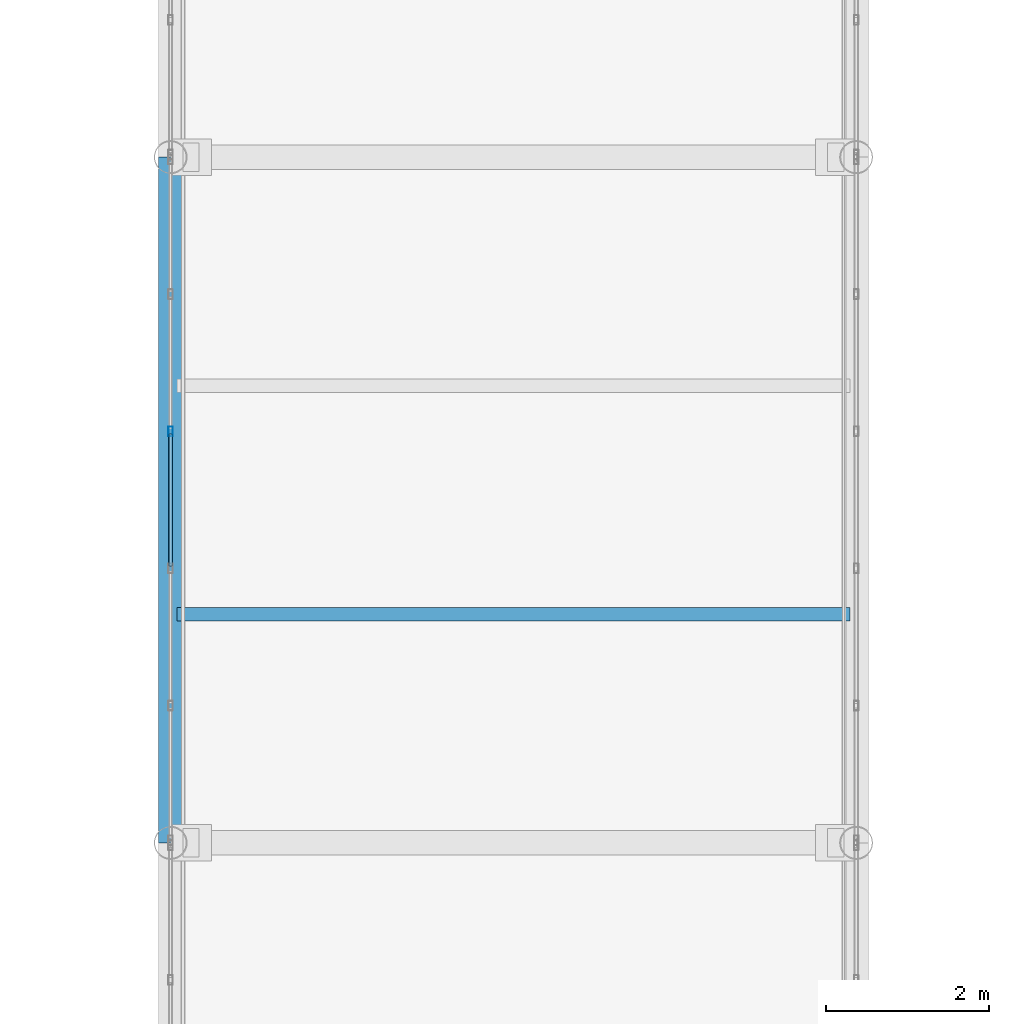
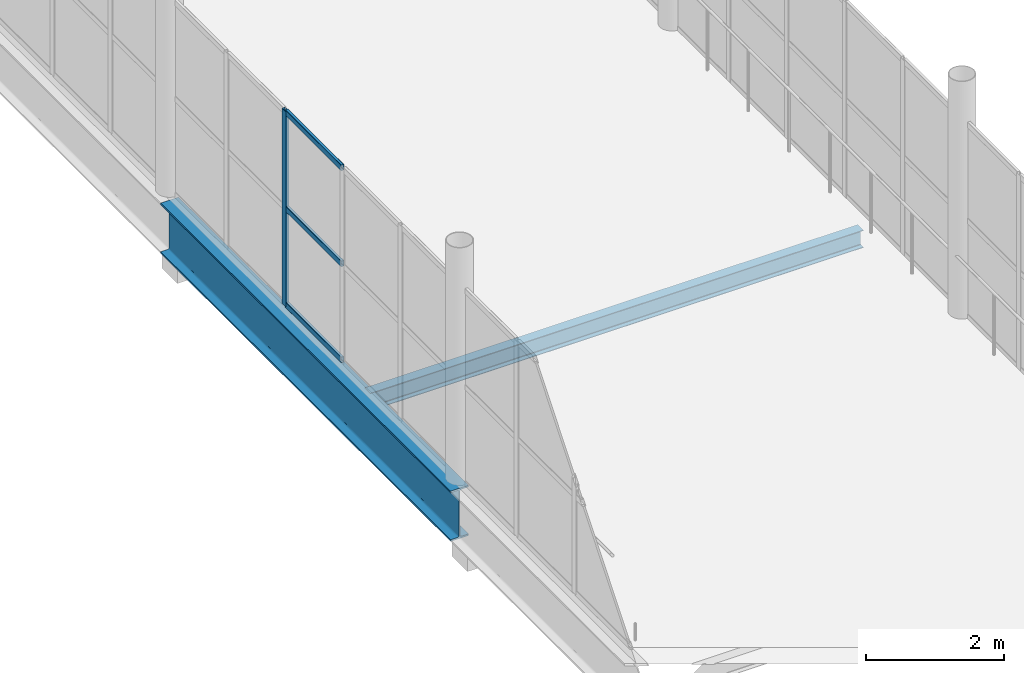
# One storey, part 52 of 163: 4 members, 2 beams, 1 element without a shape of its own.
"""IFC4 building model written with IfcOpenShell, lengths in metres."""

import ifcopenshell
import ifcopenshell.guid

model = None  # the IFC model being written
_history = None  # IfcOwnerHistory: only IFC2X3 demands one
_inside = {}  # id of a spatial element -> (the spatial element, [elements in it])
_under = {}  # id of a project, library or spatial element -> (it, [spatial elements below it])
_declared = {}  # id of a project -> (the project, [libraries it declares])
_typed = {}  # id of a type object -> (the type object, [elements of that type])
_made_of = {}  # id of a material, layer set ... -> (it, [elements and type objects made of it])


def new_model(schema):
    """Start an empty IFC model of exactly this schema.

    Asked for "IFC4X3", IfcOpenShell would pick the latest addendum, in which some entities
    have other attributes; the version numbers below select the first issue.
    IFC2X3 requires an IfcOwnerHistory on every rooted entity: one is made here for all.
    """
    global model, _history
    if schema == "IFC4X3":
        model = ifcopenshell.file(schema_version=(4, 3, 0, 0))
    else:
        model = ifcopenshell.file(schema=schema)
    _inside.clear()
    _under.clear()
    _declared.clear()
    _typed.clear()
    _made_of.clear()
    _history = None
    if model.schema == "IFC2X3":
        org = make("IfcOrganization", Name="unknown")
        user = make(
            "IfcPersonAndOrganization",
            ThePerson=make("IfcPerson", FamilyName="unknown"),
            TheOrganization=org,
        )
        app = make(
            "IfcApplication",
            ApplicationDeveloper=org,
            Version="unknown",
            ApplicationFullName="unknown",
            ApplicationIdentifier="unknown",
        )
        _history = make(
            "IfcOwnerHistory",
            OwningUser=user,
            OwningApplication=app,
            ChangeAction="ADDED",
            CreationDate=0,
        )
    return model


def make(cls, **values):
    """One entity of the class cls with the attributes given. An attribute that is None is left unset."""
    return model.create_entity(
        cls, **{name: value for name, value in values.items() if value is not None}
    )


def rooted(cls, **values):
    """An entity with a GlobalId (a new one), such as an element, a storey or a relation."""
    return make(cls, GlobalId=ifcopenshell.guid.new(), OwnerHistory=_history, **values)


def si_unit(unit_type, name, prefix=None):
    """IfcSIUnit, for example si_unit("LENGTHUNIT", "METRE", prefix="MILLI")."""
    return make("IfcSIUnit", UnitType=unit_type, Prefix=prefix, Name=name)


def assignment(units):
    """IfcUnitAssignment: the units of a project."""
    return None if units is None else make("IfcUnitAssignment", Units=units)


def point(xyz):
    """IfcCartesianPoint."""
    return None if xyz is None else make("IfcCartesianPoint", Coordinates=xyz)


def direction(xyz):
    """IfcDirection."""
    return None if xyz is None else make("IfcDirection", DirectionRatios=xyz)


def frame(location, z_axis=None, x_axis=None):
    """IfcAxis2Placement3D, a coordinate frame: its origin and axes. An axis left out is left unset."""
    return make(
        "IfcAxis2Placement3D",
        Location=point(location),
        Axis=direction(z_axis),
        RefDirection=direction(x_axis),
    )


def frame_2d(location, x_axis=None):
    """IfcAxis2Placement2D, a coordinate frame in the plane: its origin and x axis."""
    return make(
        "IfcAxis2Placement2D", Location=point(location), RefDirection=direction(x_axis)
    )


def origin():
    """The frame at (0, 0, 0) with its axes left unset."""
    return frame((0.0, 0.0, 0.0))


def origin_2d():
    """The frame at (0, 0) in the plane with its x axis left unset."""
    return frame_2d((0.0, 0.0))


def place(relative_to, where):
    """IfcLocalPlacement: puts the frame where relative to a parent placement (None: the world)."""
    return make(
        "IfcLocalPlacement", PlacementRelTo=relative_to, RelativePlacement=where
    )


def context(
    kind, dimensions, precision=None, world=None, true_north=None, identifier=None
):
    """IfcGeometricRepresentationContext, for example the 3D "Model" context."""
    return make(
        "IfcGeometricRepresentationContext",
        ContextIdentifier=identifier,
        ContextType=kind,
        CoordinateSpaceDimension=dimensions,
        Precision=precision,
        WorldCoordinateSystem=world,
        TrueNorth=true_north,
    )


def subcontext(parent, identifier, kind, view, scale=None):
    """IfcGeometricRepresentationSubContext, for example "Body" below "Model"."""
    return make(
        "IfcGeometricRepresentationSubContext",
        ContextIdentifier=identifier,
        ContextType=kind,
        ParentContext=parent,
        TargetScale=scale,
        TargetView=view,
    )


def project(units=None, contexts=None):
    """IfcProject with its units and contexts."""
    return rooted(
        "IfcProject",
        Name="project",
        RepresentationContexts=contexts,
        UnitsInContext=assignment(units),
    )


def spatial(cls, under=None, at=None, **own):
    """A site, building, storey or space (cls), placed at a placement, below another one or the project."""
    s = rooted(cls, ObjectPlacement=at, **own)
    if under is not None:
        _under.setdefault(under.id(), (under, []))[1].append(s)
    return s


def profile(cls, at=None, kind="AREA", **sizes):
    """A parametric profile (cls). Its sizes go by their IFC names, for example OverallWidth=200.0."""
    return make(cls, ProfileType=kind, Position=at, **sizes)


def hollow_rectangle(**sizes):
    """IfcRectangleHollowProfileDef."""
    return profile("IfcRectangleHollowProfileDef", **sizes)


def i_section(**sizes):
    """IfcIShapeProfileDef."""
    return profile("IfcIShapeProfileDef", **sizes)


def extrude(swept, where, along, depth):
    """IfcExtrudedAreaSolid: the profile swept, set in the frame where, extruded along a direction by depth."""
    return make(
        "IfcExtrudedAreaSolid",
        SweptArea=swept,
        Position=where,
        ExtrudedDirection=direction(along),
        Depth=depth,
    )


def shape(context_of_items, identifier, shape_type, items):
    """IfcShapeRepresentation: the items that make up one representation, for example the "Body"."""
    return make(
        "IfcShapeRepresentation",
        ContextOfItems=context_of_items,
        RepresentationIdentifier=identifier,
        RepresentationType=shape_type,
        Items=items,
    )


def material(Name=None, Category=None):
    """IfcMaterial."""
    return make("IfcMaterial", Name=Name, Category=Category)


def layer(
    of_material, thickness, ventilated=None, Name=None, Category=None, Priority=None
):
    """IfcMaterialLayer: one layer of a wall or slab, of a material (None: an air gap)."""
    return make(
        "IfcMaterialLayer",
        Material=of_material,
        LayerThickness=thickness,
        IsVentilated=ventilated,
        Name=Name,
        Category=Category,
        Priority=Priority,
    )


def layer_set(layers, Name=None):
    """IfcMaterialLayerSet."""
    return make("IfcMaterialLayerSet", MaterialLayers=layers, LayerSetName=Name)


def material_profile(
    of_material, cross_section, Name=None, Category=None, Priority=None
):
    """IfcMaterialProfile: a cross section and its material."""
    return make(
        "IfcMaterialProfile",
        Name=Name,
        Material=of_material,
        Profile=cross_section,
        Priority=Priority,
        Category=Category,
    )


def profile_set(profiles, Name=None, composite=None):
    """IfcMaterialProfileSet."""
    return make(
        "IfcMaterialProfileSet",
        Name=Name,
        MaterialProfiles=profiles,
        CompositeProfile=composite,
    )


def made_of(thing, what):
    """Note that an element or type object is made of a material, layer set ...; save() writes the relation."""
    if what is not None:
        _made_of.setdefault(what.id(), (what, []))[1].append(thing)
    return thing


def type_object(cls, material=None, **own):
    """A type object (cls), such as IfcWallType, which elements share."""
    return made_of(rooted(cls, **own), material)


def element(
    cls,
    number,
    at=None,
    inside=None,
    cuts=None,
    type_object=None,
    material=None,
    context=None,
    identifier="Body",
    shape_type=None,
    held_by="IfcProductDefinitionShape",
    body=None,
    shapes=None,
    **own,
):
    """One element of the class cls, such as IfcWall. Its Tag is "e" and its number.

    at: its placement. inside: the storey or other place that contains it. cuts: it is an
    opening in that element (IfcRelVoidsElement). A single representation is given by context,
    identifier, shape_type and body (its items); several are given by shapes. held_by: the class
    of the entity that holds the representations. save() writes the other relations.
    """
    e = rooted(cls, Tag="e%d" % number, ObjectPlacement=at, **own)
    if body is not None:
        shapes = [shape(context, identifier, shape_type, body)]
    if shapes is not None:
        e.Representation = make(held_by, Representations=shapes)
    if inside is not None:
        _inside.setdefault(inside.id(), (inside, []))[1].append(e)
    if cuts is not None:
        rooted(
            "IfcRelVoidsElement", RelatingBuildingElement=cuts, RelatedOpeningElement=e
        )
    if type_object is not None:
        _typed.setdefault(type_object.id(), (type_object, []))[1].append(e)
    return made_of(e, material)


def aggregate(whole, parts):
    """IfcRelAggregates: a whole, such as a stair, and the parts it consists of."""
    return rooted("IfcRelAggregates", RelatingObject=whole, RelatedObjects=parts)


def save(model, path):
    """Write the relations noted so far, then the file.

    IfcRelAggregates (storeys below a building ...), IfcRelContainedInSpatialStructure (elements
    in a storey), IfcRelDefinesByType, IfcRelAssociatesMaterial and IfcRelDeclares: one each for
    every whole, place, type object, material and project.
    """
    for whole, parts in _under.values():
        aggregate(whole, parts)
    for where, things in _inside.values():
        rooted(
            "IfcRelContainedInSpatialStructure",
            RelatedElements=things,
            RelatingStructure=where,
        )
    for kind, things in _typed.values():
        rooted("IfcRelDefinesByType", RelatedObjects=things, RelatingType=kind)
    for what, things in _made_of.values():
        rooted("IfcRelAssociatesMaterial", RelatedObjects=things, RelatingMaterial=what)
    for by, libraries in _declared.values():
        rooted("IfcRelDeclares", RelatingContext=by, RelatedDefinitions=libraries)
    model.write(path)


model = new_model("IFC4")

# Units and contexts
model_context = context("Model", 3, precision=1e-05, world=origin(), true_north=direction((0.0, 1.0)))
body_context = subcontext(model_context, "Body", "Model", "MODEL_VIEW")
ifc_project = project(units=[si_unit("LENGTHUNIT", "METRE"), si_unit("AREAUNIT", "SQUARE_METRE"), si_unit("VOLUMEUNIT", "CUBIC_METRE"), si_unit("PLANEANGLEUNIT", "RADIAN"), si_unit("MASSUNIT", "GRAM", prefix="KILO")], contexts=[model_context])

# Site, building, storey
site_placement = place(None, origin())
site = spatial("IfcSite", under=ifc_project, at=site_placement, CompositionType="ELEMENT")
building_placement = place(site_placement, origin())
building = spatial("IfcBuilding", under=site, at=building_placement, Name="Qalvenar Corner Mobility Hub", CompositionType="ELEMENT")
storey_placement = place(building_placement, frame((0.0, 0.0, 4.800048828125)))
storey = spatial("IfcBuildingStorey", under=building, at=storey_placement, Name="L01", CompositionType="ELEMENT", Elevation=4.800048828125)

# Beams
ifc_material_1 = material(Name="Steel S355", Category="steel")
ifc_material_profile_1 = material_profile(ifc_material_1, i_section(OverallWidth=0.300048828125, OverallDepth=0.889892578125, WebThickness=0.01611328125, FlangeThickness=0.030029296875, FilletRadius=0.027099609375, at=origin_2d()), Name="HEA900")
ifc_profile_set_1 = profile_set([ifc_material_profile_1], Name="Steel S355")
beam_type_1 = type_object("IfcBeamType", Name="BM-BRG900", PredefinedType="BEAM", material=ifc_profile_set_1)
beam_1_placement = place(storey_placement, frame((50.39990234375, 50.39990234375, -0.635009765625), z_axis=(0.0, 1.0, 0.0), x_axis=(-1.0, 0.0, 0.0)))
element("IfcBeam", 1, at=beam_1_placement, inside=storey, type_object=beam_type_1, Name="Court Link Bridge Girder BRG-1527", PredefinedType="BEAM", context=body_context, shape_type="SweptSolid", body=[
    extrude(i_section(OverallWidth=0.300048828125, OverallDepth=0.889892578125, WebThickness=0.01611328125, FlangeThickness=0.030029296875, FilletRadius=0.027099609375, at=origin_2d()), origin(), (0.0, 0.0, 1.0), 8.400146484375),
])
ifc_material_profile_2 = material_profile(ifc_material_1, i_section(OverallWidth=0.1650390625, OverallDepth=0.31005859375, WebThickness=0.005859375, FlangeThickness=0.009765625, FilletRadius=0.011962890625, at=origin_2d()), Name="W310x38.7")
ifc_profile_set_2 = profile_set([ifc_material_profile_2], Name="Steel S355")
beam_type_2 = type_object("IfcBeamType", Name="BM-JST310", PredefinedType="JOIST", material=ifc_profile_set_2)
beam_2_placement = place(storey_placement, frame((50.47802734375, 53.199951171875, -0.344970703125), z_axis=(1.0, 0.0, 0.0), x_axis=(0.0, 1.0, 0.0)))
element("IfcBeam", 2, at=beam_2_placement, inside=storey, type_object=beam_type_2, Name="Composite Floor Joist J-1537", PredefinedType="JOIST", context=body_context, shape_type="SweptSolid", body=[
    extrude(i_section(OverallWidth=0.1650390625, OverallDepth=0.31005859375, WebThickness=0.005859375, FlangeThickness=0.009765625, FilletRadius=0.011962890625, at=origin_2d()), origin(), (0.0, 0.0, 1.0), 8.243896484375),
])

# Curtain wall, members
ifc_material_2 = material(Name="Anodised Aluminium and Low-E Glazing", Category="aluminium")
ifc_layer = layer(ifc_material_2, 0.1201171875)
ifc_layer_set = layer_set([ifc_layer], Name="Anodised Aluminium and Low-E Glazing")
curtain_wall_type = type_object("IfcCurtainWallType", Name="CW-BRG-84X28", PredefinedType="NOTDEFINED", material=ifc_layer_set)
curtain_wall_placement = place(storey_placement, origin())
curtain_wall = element("IfcCurtainWall", 3, at=curtain_wall_placement, inside=storey, type_object=curtain_wall_type, Name="Glazed Curtain Wall CW-BRG-L01-W2", PredefinedType="NOTDEFINED")
ifc_material_3 = material(Name="Anodised Aluminium 6063-T6", Category="aluminium")
ifc_material_profile_3 = material_profile(ifc_material_3, hollow_rectangle(XDim=0.054931640625, YDim=0.1201171875, WallThickness=0.00341796875, InnerFilletRadius=0.00341796875, OuterFilletRadius=0.007080078125, at=origin_2d()), Name="RHS120x55x3.5")
ifc_profile_set_3 = profile_set([ifc_material_profile_3], Name="Anodised Aluminium 6063-T6")
member_type_1 = type_object("IfcMemberType", Name="CW-MUL120", PredefinedType="MULLION", material=ifc_profile_set_3)
member_1_placement = place(storey_placement, frame((50.39990234375, 55.43994140625, 0.0), z_axis=(0.0, 0.0, 1.0), x_axis=(1.0, 0.0, 0.0)))
member_1 = element("IfcMember", 4, at=member_1_placement, type_object=member_type_1, Name="CW-11 mullion 3", PredefinedType="MULLION", context=body_context, shape_type="SweptSolid", body=[
    extrude(hollow_rectangle(XDim=0.054931640625, YDim=0.1201171875, WallThickness=0.00341796875, InnerFilletRadius=0.00341796875, OuterFilletRadius=0.007080078125, at=origin_2d()), origin(), (0.0, 0.0, 1.0), 3.449951171875),
])
ifc_material_profile_4 = material_profile(ifc_material_3, hollow_rectangle(XDim=0.050048828125, YDim=0.10009765625, WallThickness=0.0029296875, InnerFilletRadius=0.0029296875, OuterFilletRadius=0.006103515625, at=origin_2d()), Name="RHS100x50x3")
ifc_profile_set_4 = profile_set([ifc_material_profile_4], Name="Anodised Aluminium 6063-T6")
member_type_2 = type_object("IfcMemberType", Name="CW-TRN100", PredefinedType="USERDEFINED", material=ifc_profile_set_4)
member_2_placement = place(storey_placement, frame((50.39990234375, 55.409912109375, 0.02734375), z_axis=(0.0, -1.0, 0.0), x_axis=(1.0, 0.0, 0.0)))
member_2 = element("IfcMember", 5, at=member_2_placement, type_object=member_type_2, Name="CW-11 transom 3.1", ObjectType="TRANSOM", PredefinedType="USERDEFINED", context=body_context, shape_type="SweptSolid", body=[
    extrude(hollow_rectangle(XDim=0.050048828125, YDim=0.10009765625, WallThickness=0.0029296875, InnerFilletRadius=0.0029296875, OuterFilletRadius=0.006103515625, at=origin_2d()), origin(), (0.0, 0.0, 1.0), 1.619873046875),
])
member_3_placement = place(storey_placement, frame((50.39990234375, 55.409912109375, 1.724853515625), z_axis=(0.0, -1.0, 0.0), x_axis=(1.0, 0.0, 0.0)))
member_3 = element("IfcMember", 6, at=member_3_placement, type_object=member_type_2, Name="CW-11 transom 3.2", ObjectType="TRANSOM", PredefinedType="USERDEFINED", context=body_context, shape_type="SweptSolid", body=[
    extrude(hollow_rectangle(XDim=0.050048828125, YDim=0.10009765625, WallThickness=0.0029296875, InnerFilletRadius=0.0029296875, OuterFilletRadius=0.006103515625, at=origin_2d()), origin(), (0.0, 0.0, 1.0), 1.619873046875),
])
member_4_placement = place(storey_placement, frame((50.39990234375, 55.409912109375, 3.42236328125), z_axis=(0.0, -1.0, 0.0), x_axis=(1.0, 0.0, 0.0)))
member_4 = element("IfcMember", 7, at=member_4_placement, type_object=member_type_2, Name="CW-11 transom 3.3", ObjectType="TRANSOM", PredefinedType="USERDEFINED", context=body_context, shape_type="SweptSolid", body=[
    extrude(hollow_rectangle(XDim=0.050048828125, YDim=0.10009765625, WallThickness=0.0029296875, InnerFilletRadius=0.0029296875, OuterFilletRadius=0.006103515625, at=origin_2d()), origin(), (0.0, 0.0, 1.0), 1.619873046875),
])
aggregate(curtain_wall, [member_1, member_2, member_3, member_4])

save(model, "model.ifc")
